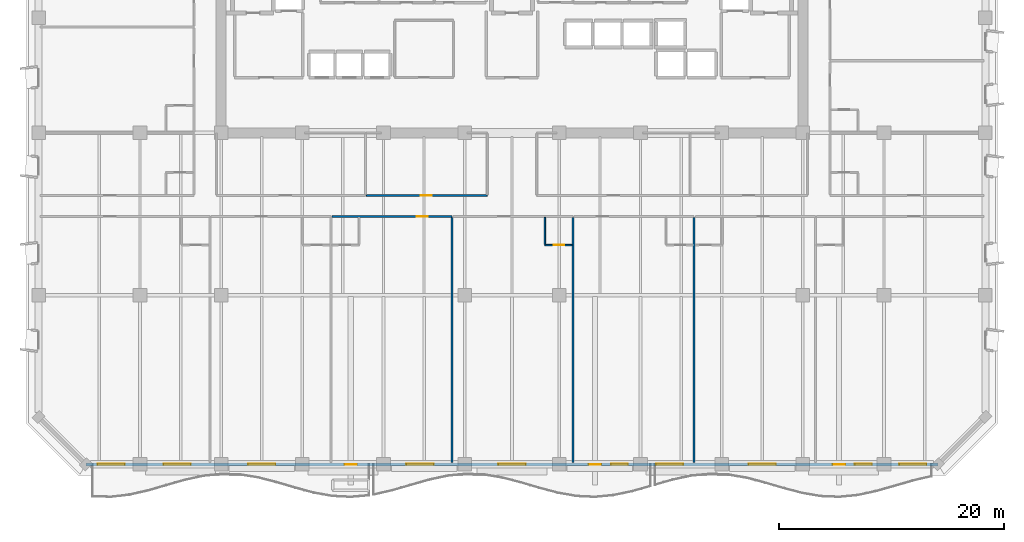
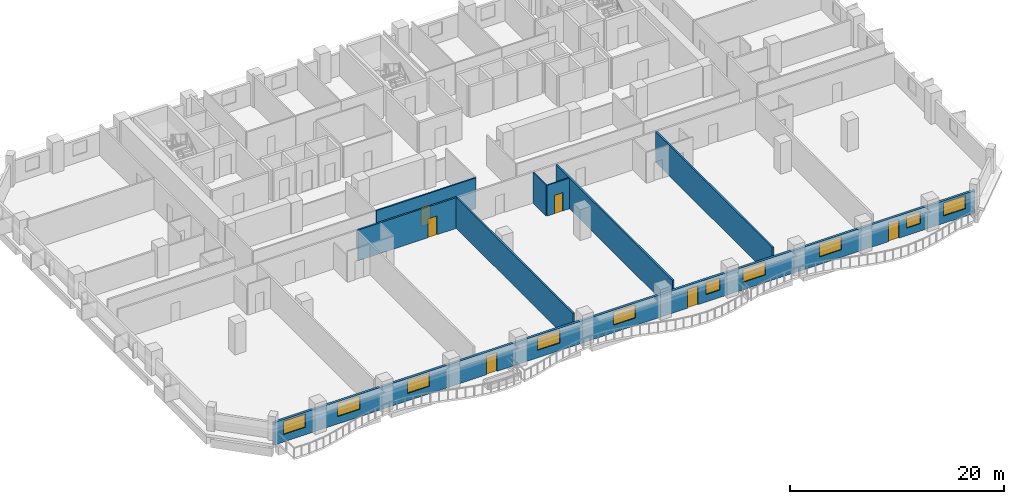
# One storey, part 5 of 15: 10 windows, 8 walls, 6 doors, 16 openings.
"""IFC4 building model written with IfcOpenShell, lengths in metres."""

from ifc_helpers import new_model, si_unit, direction, frame, frame_2d, origin, place, context, subcontext, project, spatial, rectangle, extrude, material, layer, layer_set, type_object, element, fill, save


model = new_model("IFC4")

# Units and contexts
model_context = context("Model", 3, precision=1e-05, world=origin(), true_north=direction((0.0, 1.0)))
body_context = subcontext(model_context, "Body", "Model", "MODEL_VIEW")
ifc_project = project(units=[si_unit("LENGTHUNIT", "METRE"), si_unit("AREAUNIT", "SQUARE_METRE"), si_unit("VOLUMEUNIT", "CUBIC_METRE"), si_unit("PLANEANGLEUNIT", "RADIAN"), si_unit("MASSUNIT", "GRAM", prefix="KILO")], contexts=[model_context])

# Site, building, storey
site_placement = place(None, origin())
site = spatial("IfcSite", under=ifc_project, at=site_placement, CompositionType="ELEMENT")
building_placement = place(site_placement, origin())
building = spatial("IfcBuilding", under=site, at=building_placement, Name="Kaelvorn Grand Hotel", CompositionType="ELEMENT")
storey_placement = place(building_placement, frame((0.0, 0.0, 96.800048828125)))
storey = spatial("IfcBuildingStorey", under=building, at=storey_placement, Name="L22", CompositionType="ELEMENT", Elevation=96.800048828125)

# Wall, openings, doors, windows
ifc_material_1 = material(Name="Concrete C40/50", Category="concrete")
ifc_layer_1 = layer(ifc_material_1, 0.260009765625)
ifc_layer_set_1 = layer_set([ifc_layer_1], Name="Concrete C40/50")
wall_type_1 = type_object("IfcWallType", Name="WL-EXT-260-C40", PredefinedType="SOLIDWALL", material=ifc_layer_set_1)
wall_1_placement = place(storey_placement, frame((4.199951171875, 0.0, 0.0), z_axis=(0.0, 0.0, 1.0), x_axis=(1.0, 0.0, 0.0)))
wall_1 = element("IfcWall", 1, at=wall_1_placement, inside=storey, type_object=wall_type_1, Name="L22 Exterior Architectural Concrete Wall 01", PredefinedType="SOLIDWALL", context=body_context, shape_type="SweptSolid", body=[
    extrude(rectangle(XDim=75.60009765625, YDim=0.260009765625, at=frame_2d((37.800048828125, 0.0))), origin(), (0.0, 0.0, 1.0), 2.56005859375),
])
opening_1_placement = place(wall_1_placement, frame((22.94775390625, 0.0, 0.0)))
opening_1 = element("IfcOpeningElement", 2, at=opening_1_placement, cuts=wall_1, Name="Opening DE2", PredefinedType="OPENING", context=body_context, shape_type="SweptSolid", body=[
    extrude(rectangle(XDim=1.10009765625, YDim=2.14990234375, at=frame_2d((0.550048828125, 1.074951171875))), frame((0.0, 0.14013671875, 0.0), z_axis=(0.0, -1.0, 0.0), x_axis=(1.0, 0.0, 0.0)), (0.0, 0.0, 1.0), 0.280029296875),
])
opening_2_placement = place(wall_1_placement, frame((44.610107421875, 0.0, 0.0)))
opening_2 = element("IfcOpeningElement", 3, at=opening_2_placement, cuts=wall_1, Name="Opening DE2", PredefinedType="OPENING", context=body_context, shape_type="SweptSolid", body=[
    extrude(rectangle(XDim=1.10009765625, YDim=2.14990234375, at=frame_2d((0.550048828125, 1.074951171875))), frame((0.0, 0.14013671875, 0.0), z_axis=(0.0, -1.0, 0.0), x_axis=(1.0, 0.0, 0.0)), (0.0, 0.0, 1.0), 0.280029296875),
])
opening_3_placement = place(wall_1_placement, frame((66.272216796875, 0.0, 0.0)))
opening_3 = element("IfcOpeningElement", 4, at=opening_3_placement, cuts=wall_1, Name="Opening DE2", PredefinedType="OPENING", context=body_context, shape_type="SweptSolid", body=[
    extrude(rectangle(XDim=1.10009765625, YDim=2.14990234375, at=frame_2d((0.550048828125, 1.074951171875))), frame((0.0, 0.14013671875, 0.0), z_axis=(0.0, -1.0, 0.0), x_axis=(1.0, 0.0, 0.0)), (0.0, 0.0, 1.0), 0.280029296875),
])
opening_4_placement = place(wall_1_placement, frame((1.034912109375, 0.0, 0.85009765625)))
opening_4 = element("IfcOpeningElement", 5, at=opening_4_placement, cuts=wall_1, Name="Opening W6", PredefinedType="OPENING", context=body_context, shape_type="SweptSolid", body=[
    extrude(rectangle(XDim=2.39990234375, YDim=1.5, at=frame_2d((1.199951171875, 0.75))), frame((0.0, 0.14013671875, 0.0), z_axis=(0.0, -1.0, 0.0), x_axis=(1.0, 0.0, 0.0)), (0.0, 0.0, 1.0), 0.280029296875),
])
opening_5_placement = place(wall_1_placement, frame((6.896484375, 0.0, 0.85009765625)))
opening_5 = element("IfcOpeningElement", 6, at=opening_5_placement, cuts=wall_1, Name="Opening W6", PredefinedType="OPENING", context=body_context, shape_type="SweptSolid", body=[
    extrude(rectangle(XDim=2.39990234375, YDim=1.5, at=frame_2d((1.199951171875, 0.75))), frame((0.0, 0.14013671875, 0.0), z_axis=(0.0, -1.0, 0.0), x_axis=(1.0, 0.0, 0.0)), (0.0, 0.0, 1.0), 0.280029296875),
])
opening_6_placement = place(wall_1_placement, frame((14.39990234375, 0.0, 0.85009765625)))
opening_6 = element("IfcOpeningElement", 7, at=opening_6_placement, cuts=wall_1, Name="Opening W6", PredefinedType="OPENING", context=body_context, shape_type="SweptSolid", body=[
    extrude(rectangle(XDim=2.39990234375, YDim=1.5, at=frame_2d((1.199951171875, 0.75))), frame((0.0, 0.14013671875, 0.0), z_axis=(0.0, -1.0, 0.0), x_axis=(1.0, 0.0, 0.0)), (0.0, 0.0, 1.0), 0.280029296875),
])
opening_7_placement = place(wall_1_placement, frame((28.439453125, 0.0, 0.85009765625)))
opening_7 = element("IfcOpeningElement", 8, at=opening_7_placement, cuts=wall_1, Name="Opening W6", PredefinedType="OPENING", context=body_context, shape_type="SweptSolid", body=[
    extrude(rectangle(XDim=2.39990234375, YDim=1.5, at=frame_2d((1.199951171875, 0.75))), frame((0.0, 0.14013671875, 0.0), z_axis=(0.0, -1.0, 0.0), x_axis=(1.0, 0.0, 0.0)), (0.0, 0.0, 1.0), 0.280029296875),
])
opening_8_placement = place(wall_1_placement, frame((36.60009765625, 0.0, 0.85009765625)))
opening_8 = element("IfcOpeningElement", 9, at=opening_8_placement, cuts=wall_1, Name="Opening W6", PredefinedType="OPENING", context=body_context, shape_type="SweptSolid", body=[
    extrude(rectangle(XDim=2.39990234375, YDim=1.5, at=frame_2d((1.199951171875, 0.75))), frame((0.0, 0.14013671875, 0.0), z_axis=(0.0, -1.0, 0.0), x_axis=(1.0, 0.0, 0.0)), (0.0, 0.0, 1.0), 0.280029296875),
])
opening_9_placement = place(wall_1_placement, frame((46.590087890625, 0.0, 0.85009765625)))
opening_9 = element("IfcOpeningElement", 10, at=opening_9_placement, cuts=wall_1, Name="Opening W10", PredefinedType="OPENING", context=body_context, shape_type="SweptSolid", body=[
    extrude(rectangle(XDim=1.5, YDim=1.39990234375, at=frame_2d((0.75, 0.699951171875))), frame((0.0, 0.14013671875, 0.0), z_axis=(0.0, -1.0, 0.0), x_axis=(1.0, 0.0, 0.0)), (0.0, 0.0, 1.0), 0.280029296875),
])
opening_10_placement = place(wall_1_placement, frame((50.58251953125, 0.0, 0.85009765625)))
opening_10 = element("IfcOpeningElement", 11, at=opening_10_placement, cuts=wall_1, Name="Opening W6", PredefinedType="OPENING", context=body_context, shape_type="SweptSolid", body=[
    extrude(rectangle(XDim=2.39990234375, YDim=1.5, at=frame_2d((1.199951171875, 0.75))), frame((0.0, 0.14013671875, 0.0), z_axis=(0.0, -1.0, 0.0), x_axis=(1.0, 0.0, 0.0)), (0.0, 0.0, 1.0), 0.280029296875),
])
opening_11_placement = place(wall_1_placement, frame((58.800048828125, 0.0, 0.85009765625)))
opening_11 = element("IfcOpeningElement", 12, at=opening_11_placement, cuts=wall_1, Name="Opening W6", PredefinedType="OPENING", context=body_context, shape_type="SweptSolid", body=[
    extrude(rectangle(XDim=2.39990234375, YDim=1.5, at=frame_2d((1.199951171875, 0.75))), frame((0.0, 0.14013671875, 0.0), z_axis=(0.0, -1.0, 0.0), x_axis=(1.0, 0.0, 0.0)), (0.0, 0.0, 1.0), 0.280029296875),
])
opening_12_placement = place(wall_1_placement, frame((68.22119140625, 0.0, 0.85009765625)))
opening_12 = element("IfcOpeningElement", 13, at=opening_12_placement, cuts=wall_1, Name="Opening W10", PredefinedType="OPENING", context=body_context, shape_type="SweptSolid", body=[
    extrude(rectangle(XDim=1.5, YDim=1.39990234375, at=frame_2d((0.75, 0.699951171875))), frame((0.0, 0.14013671875, 0.0), z_axis=(0.0, -1.0, 0.0), x_axis=(1.0, 0.0, 0.0)), (0.0, 0.0, 1.0), 0.280029296875),
])
opening_13_placement = place(wall_1_placement, frame((72.1650390625, 0.0, 0.85009765625)))
opening_13 = element("IfcOpeningElement", 14, at=opening_13_placement, cuts=wall_1, Name="Opening W6", PredefinedType="OPENING", context=body_context, shape_type="SweptSolid", body=[
    extrude(rectangle(XDim=2.39990234375, YDim=1.5, at=frame_2d((1.199951171875, 0.75))), frame((0.0, 0.14013671875, 0.0), z_axis=(0.0, -1.0, 0.0), x_axis=(1.0, 0.0, 0.0)), (0.0, 0.0, 1.0), 0.280029296875),
])
ifc_material_2 = material(Name="Anodised Aluminium", Category="aluminium")
door_type_1 = type_object("IfcDoorType", Name="DR-EXT-BALC-1100x2150", OperationType="NOTDEFINED", PredefinedType="DOOR", material=ifc_material_2)
door_1_placement = place(opening_1_placement, origin())
door_1 = element("IfcDoor", 15, at=door_1_placement, inside=storey, type_object=door_type_1, Name="L22 Scalloped Balcony Glazed Door DE2-1", OperationType="SINGLE_SWING_RIGHT", OverallHeight=2.14990234375, OverallWidth=1.10009765625, PredefinedType="DOOR", context=body_context, shape_type="SweptSolid", body=[
    extrude(rectangle(XDim=1.10009765625, YDim=2.14990234375, at=frame_2d((0.550048828125, 1.074951171875))), frame((0.0, 0.02490234375, 0.0), z_axis=(0.0, -1.0, 0.0), x_axis=(1.0, 0.0, 0.0)), (0.0, 0.0, 1.0), 0.050048828125),
])
fill(opening_1, door_1)
door_2_placement = place(opening_2_placement, origin())
door_2 = element("IfcDoor", 16, at=door_2_placement, inside=storey, type_object=door_type_1, Name="L22 Scalloped Balcony Glazed Door DE2-2", OperationType="SINGLE_SWING_LEFT", OverallHeight=2.14990234375, OverallWidth=1.10009765625, PredefinedType="DOOR", context=body_context, shape_type="SweptSolid", body=[
    extrude(rectangle(XDim=1.10009765625, YDim=2.14990234375, at=frame_2d((0.550048828125, 1.074951171875))), frame((0.0, 0.02490234375, 0.0), z_axis=(0.0, -1.0, 0.0), x_axis=(1.0, 0.0, 0.0)), (0.0, 0.0, 1.0), 0.050048828125),
])
fill(opening_2, door_2)
door_3_placement = place(opening_3_placement, origin())
door_3 = element("IfcDoor", 17, at=door_3_placement, inside=storey, type_object=door_type_1, Name="L22 Scalloped Balcony Glazed Door DE2-3", OperationType="SINGLE_SWING_RIGHT", OverallHeight=2.14990234375, OverallWidth=1.10009765625, PredefinedType="DOOR", context=body_context, shape_type="SweptSolid", body=[
    extrude(rectangle(XDim=1.10009765625, YDim=2.14990234375, at=frame_2d((0.550048828125, 1.074951171875))), frame((0.0, 0.02490234375, 0.0), z_axis=(0.0, -1.0, 0.0), x_axis=(1.0, 0.0, 0.0)), (0.0, 0.0, 1.0), 0.050048828125),
])
fill(opening_3, door_3)
ifc_material_3 = material(Name="Laminated Low-E Glass", Category="glass")
window_type_1 = type_object("IfcWindowType", Name="WIN-COR-1500x1400", PartitioningType="SINGLE_PANEL", PredefinedType="WINDOW", material=ifc_material_3)
window_1_placement = place(opening_9_placement, origin())
window_1 = element("IfcWindow", 18, at=window_1_placement, inside=storey, type_object=window_type_1, Name="L22 South Guestroom Ribbon Window SR06", OverallHeight=1.39990234375, OverallWidth=1.5, PartitioningType="SINGLE_PANEL", PredefinedType="WINDOW", context=body_context, shape_type="SweptSolid", body=[
    extrude(rectangle(XDim=1.5, YDim=1.39990234375, at=frame_2d((0.75, 0.699951171875))), frame((0.0, 0.030029296875, 0.0), z_axis=(0.0, -1.0, 0.0), x_axis=(1.0, 0.0, 0.0)), (0.0, 0.0, 1.0), 0.06005859375),
])
fill(opening_9, window_1)
window_2_placement = place(opening_12_placement, origin())
window_2 = element("IfcWindow", 19, at=window_2_placement, inside=storey, type_object=window_type_1, Name="L22 South Guestroom Ribbon Window SR09", OverallHeight=1.39990234375, OverallWidth=1.5, PartitioningType="SINGLE_PANEL", PredefinedType="WINDOW", context=body_context, shape_type="SweptSolid", body=[
    extrude(rectangle(XDim=1.5, YDim=1.39990234375, at=frame_2d((0.75, 0.699951171875))), frame((0.0, 0.030029296875, 0.0), z_axis=(0.0, -1.0, 0.0), x_axis=(1.0, 0.0, 0.0)), (0.0, 0.0, 1.0), 0.06005859375),
])
fill(opening_12, window_2)
window_type_2 = type_object("IfcWindowType", Name="WIN-NTH-2400x1500", PartitioningType="SINGLE_PANEL", PredefinedType="WINDOW", material=ifc_material_3)
window_3_placement = place(opening_4_placement, origin())
window_3 = element("IfcWindow", 20, at=window_3_placement, inside=storey, type_object=window_type_2, Name="L22 South Guestroom Ribbon Window SR01", OverallHeight=1.5, OverallWidth=2.39990234375, PartitioningType="SINGLE_PANEL", PredefinedType="WINDOW", context=body_context, shape_type="SweptSolid", body=[
    extrude(rectangle(XDim=2.39990234375, YDim=1.5, at=frame_2d((1.199951171875, 0.75))), frame((0.0, 0.030029296875, 0.0), z_axis=(0.0, -1.0, 0.0), x_axis=(1.0, 0.0, 0.0)), (0.0, 0.0, 1.0), 0.06005859375),
])
fill(opening_4, window_3)
window_4_placement = place(opening_5_placement, origin())
window_4 = element("IfcWindow", 21, at=window_4_placement, inside=storey, type_object=window_type_2, Name="L22 South Guestroom Ribbon Window SR02", OverallHeight=1.5, OverallWidth=2.39990234375, PartitioningType="SINGLE_PANEL", PredefinedType="WINDOW", context=body_context, shape_type="SweptSolid", body=[
    extrude(rectangle(XDim=2.39990234375, YDim=1.5, at=frame_2d((1.199951171875, 0.75))), frame((0.0, 0.030029296875, 0.0), z_axis=(0.0, -1.0, 0.0), x_axis=(1.0, 0.0, 0.0)), (0.0, 0.0, 1.0), 0.06005859375),
])
fill(opening_5, window_4)
window_5_placement = place(opening_6_placement, origin())
window_5 = element("IfcWindow", 22, at=window_5_placement, inside=storey, type_object=window_type_2, Name="L22 South Guestroom Ribbon Window SR03", OverallHeight=1.5, OverallWidth=2.39990234375, PartitioningType="SINGLE_PANEL", PredefinedType="WINDOW", context=body_context, shape_type="SweptSolid", body=[
    extrude(rectangle(XDim=2.39990234375, YDim=1.5, at=frame_2d((1.199951171875, 0.75))), frame((0.0, 0.030029296875, 0.0), z_axis=(0.0, -1.0, 0.0), x_axis=(1.0, 0.0, 0.0)), (0.0, 0.0, 1.0), 0.06005859375),
])
fill(opening_6, window_5)
window_6_placement = place(opening_7_placement, origin())
window_6 = element("IfcWindow", 23, at=window_6_placement, inside=storey, type_object=window_type_2, Name="L22 South Guestroom Ribbon Window SR04", OverallHeight=1.5, OverallWidth=2.39990234375, PartitioningType="SINGLE_PANEL", PredefinedType="WINDOW", context=body_context, shape_type="SweptSolid", body=[
    extrude(rectangle(XDim=2.39990234375, YDim=1.5, at=frame_2d((1.199951171875, 0.75))), frame((0.0, 0.030029296875, 0.0), z_axis=(0.0, -1.0, 0.0), x_axis=(1.0, 0.0, 0.0)), (0.0, 0.0, 1.0), 0.06005859375),
])
fill(opening_7, window_6)
window_7_placement = place(opening_8_placement, origin())
window_7 = element("IfcWindow", 24, at=window_7_placement, inside=storey, type_object=window_type_2, Name="L22 South Guestroom Ribbon Window SR05", OverallHeight=1.5, OverallWidth=2.39990234375, PartitioningType="SINGLE_PANEL", PredefinedType="WINDOW", context=body_context, shape_type="SweptSolid", body=[
    extrude(rectangle(XDim=2.39990234375, YDim=1.5, at=frame_2d((1.199951171875, 0.75))), frame((0.0, 0.030029296875, 0.0), z_axis=(0.0, -1.0, 0.0), x_axis=(1.0, 0.0, 0.0)), (0.0, 0.0, 1.0), 0.06005859375),
])
fill(opening_8, window_7)
window_8_placement = place(opening_10_placement, origin())
window_8 = element("IfcWindow", 25, at=window_8_placement, inside=storey, type_object=window_type_2, Name="L22 South Guestroom Ribbon Window SR07", OverallHeight=1.5, OverallWidth=2.39990234375, PartitioningType="SINGLE_PANEL", PredefinedType="WINDOW", context=body_context, shape_type="SweptSolid", body=[
    extrude(rectangle(XDim=2.39990234375, YDim=1.5, at=frame_2d((1.199951171875, 0.75))), frame((0.0, 0.030029296875, 0.0), z_axis=(0.0, -1.0, 0.0), x_axis=(1.0, 0.0, 0.0)), (0.0, 0.0, 1.0), 0.06005859375),
])
fill(opening_10, window_8)
window_9_placement = place(opening_11_placement, origin())
window_9 = element("IfcWindow", 26, at=window_9_placement, inside=storey, type_object=window_type_2, Name="L22 South Guestroom Ribbon Window SR08", OverallHeight=1.5, OverallWidth=2.39990234375, PartitioningType="SINGLE_PANEL", PredefinedType="WINDOW", context=body_context, shape_type="SweptSolid", body=[
    extrude(rectangle(XDim=2.39990234375, YDim=1.5, at=frame_2d((1.199951171875, 0.75))), frame((0.0, 0.030029296875, 0.0), z_axis=(0.0, -1.0, 0.0), x_axis=(1.0, 0.0, 0.0)), (0.0, 0.0, 1.0), 0.06005859375),
])
fill(opening_11, window_9)
window_10_placement = place(opening_13_placement, origin())
window_10 = element("IfcWindow", 27, at=window_10_placement, inside=storey, type_object=window_type_2, Name="L22 South Guestroom Ribbon Window SR10", OverallHeight=1.5, OverallWidth=2.39990234375, PartitioningType="SINGLE_PANEL", PredefinedType="WINDOW", context=body_context, shape_type="SweptSolid", body=[
    extrude(rectangle(XDim=2.39990234375, YDim=1.5, at=frame_2d((1.199951171875, 0.75))), frame((0.0, 0.030029296875, 0.0), z_axis=(0.0, -1.0, 0.0), x_axis=(1.0, 0.0, 0.0)), (0.0, 0.0, 1.0), 0.06005859375),
])
fill(opening_13, window_10)

# Wall, opening, door
ifc_material_4 = material(Name="Moisture-Resistant Tile & Stud Board")
ifc_layer_2 = layer(ifc_material_4, 0.125)
ifc_layer_set_2 = layer_set([ifc_layer_2], Name="Moisture-Resistant Tile & Stud Board")
wall_type_2 = type_object("IfcWallType", Name="WL-PART-125-WET", PredefinedType="PARTITIONING", material=ifc_layer_set_2)
wall_2_placement = place(storey_placement, frame((44.921630859375, 19.449951171875, 0.0), z_axis=(0.0, 0.0, 1.0), x_axis=(1.0, 0.0, 0.0)))
wall_2 = element("IfcWall", 28, at=wall_2_placement, inside=storey, type_object=wall_type_2, Name="L22 En-suite Bathroom L22-04 S Partition", PredefinedType="PARTITIONING", context=body_context, shape_type="SweptSolid", body=[
    extrude(rectangle(XDim=2.405029296875, YDim=0.125, at=frame_2d((1.20263671875, 0.0))), origin(), (0.0, 0.0, 1.0), 3.510009765625),
])
opening_14_placement = place(wall_2_placement, frame((0.800048828125, 0.0, 0.0)))
opening_14 = element("IfcOpeningElement", 29, at=opening_14_placement, cuts=wall_2, Name="Opening DI4", PredefinedType="OPENING", context=body_context, shape_type="SweptSolid", body=[
    extrude(rectangle(XDim=0.89990234375, YDim=2.10009765625, at=frame_2d((0.449951171875, 1.050048828125))), frame((0.0, 0.072509765625, 0.0), z_axis=(0.0, -1.0, 0.0), x_axis=(1.0, 0.0, 0.0)), (0.0, 0.0, 1.0), 0.14501953125),
])
ifc_material_5 = material(Name="Timber Veneer Leaf", Category="wood")
door_type_2 = type_object("IfcDoorType", Name="DR-INT-BATH-900x2100", OperationType="NOTDEFINED", PredefinedType="DOOR", material=ifc_material_5)
door_4_placement = place(opening_14_placement, origin())
door_4 = element("IfcDoor", 30, at=door_4_placement, inside=storey, type_object=door_type_2, Name="L22 En-suite Bathroom L22-04 Door", OperationType="SINGLE_SWING_LEFT", OverallHeight=2.10009765625, OverallWidth=0.89990234375, PredefinedType="DOOR", context=body_context, shape_type="SweptSolid", body=[
    extrude(rectangle(XDim=0.89990234375, YDim=2.10009765625, at=frame_2d((0.449951171875, 1.050048828125))), frame((0.0, 0.02490234375, 0.0), z_axis=(0.0, -1.0, 0.0), x_axis=(1.0, 0.0, 0.0)), (0.0, 0.0, 1.0), 0.050048828125),
])
fill(opening_14, door_4)

# Wall
wall_3_placement = place(storey_placement, frame((44.921630859375, 19.517578125, 0.0), z_axis=(0.0, 0.0, 1.0), x_axis=(0.0, 1.0, 0.0)))
element("IfcWall", 31, at=wall_3_placement, inside=storey, type_object=wall_type_2, Name="L22 En-suite Bathroom L22-04 W Partition", PredefinedType="PARTITIONING", context=body_context, shape_type="SweptSolid", body=[
    extrude(rectangle(XDim=2.387451171875, YDim=0.125, at=frame_2d((1.19384765625, 0.0))), origin(), (0.0, 0.0, 1.0), 3.510009765625),
])

# Wall, opening, door
ifc_material_6 = material(Name="Acoustic Gypsum & Stud Partition")
ifc_layer_3 = layer(ifc_material_6, 0.14990234375)
ifc_layer_set_3 = layer_set([ifc_layer_3], Name="Acoustic Gypsum & Stud Partition")
wall_type_3 = type_object("IfcWallType", Name="WL-PART-150-EI60", PredefinedType="PARTITIONING", material=ifc_layer_set_3)
wall_4_placement = place(storey_placement, frame((29.080078125, 23.85009765625, 0.0), z_axis=(0.0, 0.0, 1.0), x_axis=(1.0, 0.0, 0.0)))
wall_4 = element("IfcWall", 32, at=wall_4_placement, inside=storey, type_object=wall_type_3, Name="L22 Private Chef Kitchen S Partition", PredefinedType="PARTITIONING", context=body_context, shape_type="SweptSolid", body=[
    extrude(rectangle(XDim=10.719970703125, YDim=0.14990234375, at=frame_2d((5.35986328125, 0.0))), origin(), (0.0, 0.0, 1.0), 3.510009765625),
])
opening_15_placement = place(wall_4_placement, frame((4.820068359375, 0.0, 0.0)))
opening_15 = element("IfcOpeningElement", 33, at=opening_15_placement, cuts=wall_4, Name="Opening DI3", PredefinedType="OPENING", context=body_context, shape_type="SweptSolid", body=[
    extrude(rectangle(XDim=1.0, YDim=2.14990234375, at=frame_2d((0.5, 1.074951171875))), frame((0.0, 0.0849609375, 0.0), z_axis=(0.0, -1.0, 0.0), x_axis=(1.0, 0.0, 0.0)), (0.0, 0.0, 1.0), 0.169921875),
])
ifc_material_7 = material(Name="Timber Veneer Fire Leaf", Category="wood")
door_type_3 = type_object("IfcDoorType", Name="DR-INT-GUEST-1000x2150", OperationType="NOTDEFINED", PredefinedType="DOOR", material=ifc_material_7)
door_5_placement = place(opening_15_placement, origin())
door_5 = element("IfcDoor", 34, at=door_5_placement, inside=storey, type_object=door_type_3, Name="L22 Private Chef Kitchen Door", OperationType="SINGLE_SWING_LEFT", OverallHeight=2.14990234375, OverallWidth=1.0, PredefinedType="DOOR", context=body_context, shape_type="SweptSolid", body=[
    extrude(rectangle(XDim=1.0, YDim=2.14990234375, at=frame_2d((0.5, 1.074951171875))), frame((0.0, 0.02490234375, 0.0), z_axis=(0.0, -1.0, 0.0), x_axis=(1.0, 0.0, 0.0)), (0.0, 0.0, 1.0), 0.050048828125),
])
fill(opening_15, door_5)

ifc_layer_4 = layer(ifc_material_6, 0.179931640625)
ifc_layer_set_4 = layer_set([ifc_layer_4], Name="Acoustic Gypsum & Stud Partition")
wall_type_4 = type_object("IfcWallType", Name="WL-PART-180-EI60", PredefinedType="PARTITIONING", material=ifc_layer_set_4)
wall_5_placement = place(storey_placement, frame((26.03076171875, 22.0, 0.0), z_axis=(0.0, 0.0, 1.0), x_axis=(1.0, 0.0, 0.0)))
wall_5 = element("IfcWall", 35, at=wall_5_placement, inside=storey, type_object=wall_type_4, Name="L22 Deluxe Panoramic Suite L22-03 N Partition", PredefinedType="PARTITIONING", context=body_context, shape_type="SweptSolid", body=[
    extrude(rectangle(XDim=10.64794921875, YDim=0.179931640625, at=frame_2d((5.323974609375, 0.0))), origin(), (0.0, 0.0, 1.0), 3.510009765625),
])
opening_16_placement = place(wall_5_placement, frame((7.49853515625, 0.0, 0.0)))
opening_16 = element("IfcOpeningElement", 36, at=opening_16_placement, cuts=wall_5, Name="Opening DI3", PredefinedType="OPENING", context=body_context, shape_type="SweptSolid", body=[
    extrude(rectangle(XDim=1.0, YDim=2.14990234375, at=frame_2d((0.5, 1.074951171875))), frame((0.0, 0.10009765625, 0.0), z_axis=(0.0, -1.0, 0.0), x_axis=(1.0, 0.0, 0.0)), (0.0, 0.0, 1.0), 0.199951171875),
])
door_6_placement = place(opening_16_placement, origin())
door_6 = element("IfcDoor", 37, at=door_6_placement, inside=storey, type_object=door_type_3, Name="L22 Deluxe Panoramic Suite L22-03 Door", OperationType="SINGLE_SWING_RIGHT", OverallHeight=2.14990234375, OverallWidth=1.0, PredefinedType="DOOR", context=body_context, shape_type="SweptSolid", body=[
    extrude(rectangle(XDim=1.0, YDim=2.14990234375, at=frame_2d((0.5, 1.074951171875))), frame((0.0, 0.02490234375, 0.0), z_axis=(0.0, -1.0, 0.0), x_axis=(1.0, 0.0, 0.0)), (0.0, 0.0, 1.0), 0.050048828125),
])
fill(opening_16, door_6)

# Walls
for number, where, z_axis, x_axis, name in (
    (38, (36.6787109375, 0.14990234375, 0.0), (0.0, 0.0, 1.0), (0.0, 1.0, 0.0), "L22 Deluxe Panoramic Suite L22-03 E Partition"),
    (39, (47.421630859375, 0.14990234375, 0.0), (0.0, 0.0, 1.0), (0.0, 1.0, 0.0), "L22 Deluxe Panoramic Suite L22-04 E Partition"),
    (40, (58.16455078125, 0.14990234375, 0.0), (0.0, 0.0, 1.0), (0.0, 1.0, 0.0), "L22 Deluxe Panoramic Suite L22-05 E Partition"),
):
    element("IfcWall", number, at=place(storey_placement, frame(where, z_axis=z_axis, x_axis=x_axis)), inside=storey, type_object=wall_type_4, Name=name, PredefinedType="PARTITIONING", context=body_context, shape_type="SweptSolid", body=[
        extrude(rectangle(XDim=21.755126953125, YDim=0.179931640625, at=frame_2d((10.87744140625, 0.0))), origin(), (0.0, 0.0, 1.0), 3.510009765625),
    ])

save(model, "model.ifc")
